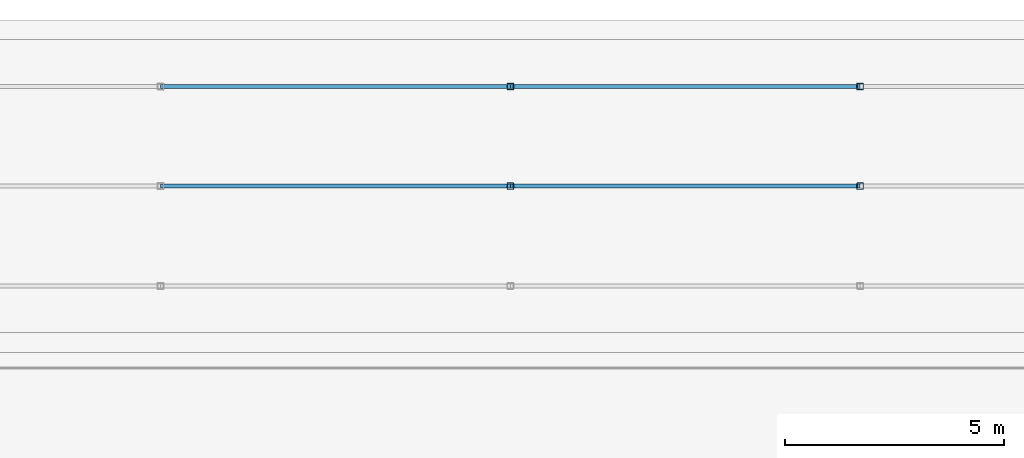
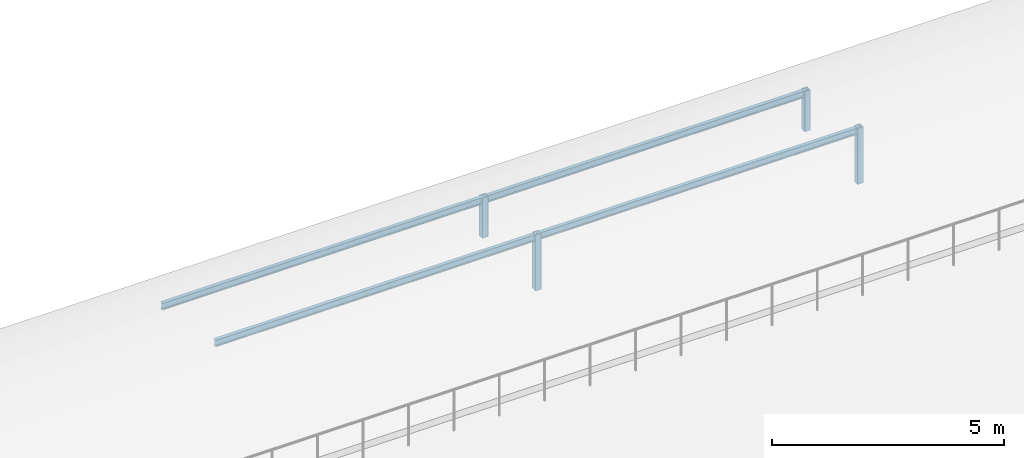
# One storey, part 22 of 46: 8 members.
"""IFC4 building model written with IfcOpenShell, lengths in metres."""

import ifcopenshell
import ifcopenshell.guid

model = None  # the IFC model being written
_history = None  # IfcOwnerHistory: only IFC2X3 demands one
_inside = {}  # id of a spatial element -> (the spatial element, [elements in it])
_under = {}  # id of a project, library or spatial element -> (it, [spatial elements below it])
_declared = {}  # id of a project -> (the project, [libraries it declares])
_typed = {}  # id of a type object -> (the type object, [elements of that type])
_made_of = {}  # id of a material, layer set ... -> (it, [elements and type objects made of it])


def new_model(schema):
    """Start an empty IFC model of exactly this schema.

    Asked for "IFC4X3", IfcOpenShell would pick the latest addendum, in which some entities
    have other attributes; the version numbers below select the first issue.
    IFC2X3 requires an IfcOwnerHistory on every rooted entity: one is made here for all.
    """
    global model, _history
    if schema == "IFC4X3":
        model = ifcopenshell.file(schema_version=(4, 3, 0, 0))
    else:
        model = ifcopenshell.file(schema=schema)
    _inside.clear()
    _under.clear()
    _declared.clear()
    _typed.clear()
    _made_of.clear()
    _history = None
    if model.schema == "IFC2X3":
        org = make("IfcOrganization", Name="unknown")
        user = make(
            "IfcPersonAndOrganization",
            ThePerson=make("IfcPerson", FamilyName="unknown"),
            TheOrganization=org,
        )
        app = make(
            "IfcApplication",
            ApplicationDeveloper=org,
            Version="unknown",
            ApplicationFullName="unknown",
            ApplicationIdentifier="unknown",
        )
        _history = make(
            "IfcOwnerHistory",
            OwningUser=user,
            OwningApplication=app,
            ChangeAction="ADDED",
            CreationDate=0,
        )
    return model


def make(cls, **values):
    """One entity of the class cls with the attributes given. An attribute that is None is left unset."""
    return model.create_entity(
        cls, **{name: value for name, value in values.items() if value is not None}
    )


def rooted(cls, **values):
    """An entity with a GlobalId (a new one), such as an element, a storey or a relation."""
    return make(cls, GlobalId=ifcopenshell.guid.new(), OwnerHistory=_history, **values)


def si_unit(unit_type, name, prefix=None):
    """IfcSIUnit, for example si_unit("LENGTHUNIT", "METRE", prefix="MILLI")."""
    return make("IfcSIUnit", UnitType=unit_type, Prefix=prefix, Name=name)


def assignment(units):
    """IfcUnitAssignment: the units of a project."""
    return None if units is None else make("IfcUnitAssignment", Units=units)


def point(xyz):
    """IfcCartesianPoint."""
    return None if xyz is None else make("IfcCartesianPoint", Coordinates=xyz)


def direction(xyz):
    """IfcDirection."""
    return None if xyz is None else make("IfcDirection", DirectionRatios=xyz)


def frame(location, z_axis=None, x_axis=None):
    """IfcAxis2Placement3D, a coordinate frame: its origin and axes. An axis left out is left unset."""
    return make(
        "IfcAxis2Placement3D",
        Location=point(location),
        Axis=direction(z_axis),
        RefDirection=direction(x_axis),
    )


def frame_2d(location, x_axis=None):
    """IfcAxis2Placement2D, a coordinate frame in the plane: its origin and x axis."""
    return make(
        "IfcAxis2Placement2D", Location=point(location), RefDirection=direction(x_axis)
    )


def origin():
    """The frame at (0, 0, 0) with its axes left unset."""
    return frame((0.0, 0.0, 0.0))


def origin_2d():
    """The frame at (0, 0) in the plane with its x axis left unset."""
    return frame_2d((0.0, 0.0))


def place(relative_to, where):
    """IfcLocalPlacement: puts the frame where relative to a parent placement (None: the world)."""
    return make(
        "IfcLocalPlacement", PlacementRelTo=relative_to, RelativePlacement=where
    )


def context(
    kind, dimensions, precision=None, world=None, true_north=None, identifier=None
):
    """IfcGeometricRepresentationContext, for example the 3D "Model" context."""
    return make(
        "IfcGeometricRepresentationContext",
        ContextIdentifier=identifier,
        ContextType=kind,
        CoordinateSpaceDimension=dimensions,
        Precision=precision,
        WorldCoordinateSystem=world,
        TrueNorth=true_north,
    )


def subcontext(parent, identifier, kind, view, scale=None):
    """IfcGeometricRepresentationSubContext, for example "Body" below "Model"."""
    return make(
        "IfcGeometricRepresentationSubContext",
        ContextIdentifier=identifier,
        ContextType=kind,
        ParentContext=parent,
        TargetScale=scale,
        TargetView=view,
    )


def project(units=None, contexts=None):
    """IfcProject with its units and contexts."""
    return rooted(
        "IfcProject",
        Name="project",
        RepresentationContexts=contexts,
        UnitsInContext=assignment(units),
    )


def spatial(cls, under=None, at=None, **own):
    """A site, building, storey or space (cls), placed at a placement, below another one or the project."""
    s = rooted(cls, ObjectPlacement=at, **own)
    if under is not None:
        _under.setdefault(under.id(), (under, []))[1].append(s)
    return s


def profile(cls, at=None, kind="AREA", **sizes):
    """A parametric profile (cls). Its sizes go by their IFC names, for example OverallWidth=200.0."""
    return make(cls, ProfileType=kind, Position=at, **sizes)


def hollow_rectangle(**sizes):
    """IfcRectangleHollowProfileDef."""
    return profile("IfcRectangleHollowProfileDef", **sizes)


def i_section(**sizes):
    """IfcIShapeProfileDef."""
    return profile("IfcIShapeProfileDef", **sizes)


def extrude(swept, where, along, depth):
    """IfcExtrudedAreaSolid: the profile swept, set in the frame where, extruded along a direction by depth."""
    return make(
        "IfcExtrudedAreaSolid",
        SweptArea=swept,
        Position=where,
        ExtrudedDirection=direction(along),
        Depth=depth,
    )


def shape(context_of_items, identifier, shape_type, items):
    """IfcShapeRepresentation: the items that make up one representation, for example the "Body"."""
    return make(
        "IfcShapeRepresentation",
        ContextOfItems=context_of_items,
        RepresentationIdentifier=identifier,
        RepresentationType=shape_type,
        Items=items,
    )


def material(Name=None, Category=None):
    """IfcMaterial."""
    return make("IfcMaterial", Name=Name, Category=Category)


def material_profile(
    of_material, cross_section, Name=None, Category=None, Priority=None
):
    """IfcMaterialProfile: a cross section and its material."""
    return make(
        "IfcMaterialProfile",
        Name=Name,
        Material=of_material,
        Profile=cross_section,
        Priority=Priority,
        Category=Category,
    )


def profile_set(profiles, Name=None, composite=None):
    """IfcMaterialProfileSet."""
    return make(
        "IfcMaterialProfileSet",
        Name=Name,
        MaterialProfiles=profiles,
        CompositeProfile=composite,
    )


def made_of(thing, what):
    """Note that an element or type object is made of a material, layer set ...; save() writes the relation."""
    if what is not None:
        _made_of.setdefault(what.id(), (what, []))[1].append(thing)
    return thing


def type_object(cls, material=None, **own):
    """A type object (cls), such as IfcWallType, which elements share."""
    return made_of(rooted(cls, **own), material)


def element(
    cls,
    number,
    at=None,
    inside=None,
    cuts=None,
    type_object=None,
    material=None,
    context=None,
    identifier="Body",
    shape_type=None,
    held_by="IfcProductDefinitionShape",
    body=None,
    shapes=None,
    **own,
):
    """One element of the class cls, such as IfcWall. Its Tag is "e" and its number.

    at: its placement. inside: the storey or other place that contains it. cuts: it is an
    opening in that element (IfcRelVoidsElement). A single representation is given by context,
    identifier, shape_type and body (its items); several are given by shapes. held_by: the class
    of the entity that holds the representations. save() writes the other relations.
    """
    e = rooted(cls, Tag="e%d" % number, ObjectPlacement=at, **own)
    if body is not None:
        shapes = [shape(context, identifier, shape_type, body)]
    if shapes is not None:
        e.Representation = make(held_by, Representations=shapes)
    if inside is not None:
        _inside.setdefault(inside.id(), (inside, []))[1].append(e)
    if cuts is not None:
        rooted(
            "IfcRelVoidsElement", RelatingBuildingElement=cuts, RelatedOpeningElement=e
        )
    if type_object is not None:
        _typed.setdefault(type_object.id(), (type_object, []))[1].append(e)
    return made_of(e, material)


def aggregate(whole, parts):
    """IfcRelAggregates: a whole, such as a stair, and the parts it consists of."""
    return rooted("IfcRelAggregates", RelatingObject=whole, RelatedObjects=parts)


def save(model, path):
    """Write the relations noted so far, then the file.

    IfcRelAggregates (storeys below a building ...), IfcRelContainedInSpatialStructure (elements
    in a storey), IfcRelDefinesByType, IfcRelAssociatesMaterial and IfcRelDeclares: one each for
    every whole, place, type object, material and project.
    """
    for whole, parts in _under.values():
        aggregate(whole, parts)
    for where, things in _inside.values():
        rooted(
            "IfcRelContainedInSpatialStructure",
            RelatedElements=things,
            RelatingStructure=where,
        )
    for kind, things in _typed.values():
        rooted("IfcRelDefinesByType", RelatedObjects=things, RelatingType=kind)
    for what, things in _made_of.values():
        rooted("IfcRelAssociatesMaterial", RelatedObjects=things, RelatingMaterial=what)
    for by, libraries in _declared.values():
        rooted("IfcRelDeclares", RelatingContext=by, RelatedDefinitions=libraries)
    model.write(path)


model = new_model("IFC4")

# Units and contexts
model_context = context("Model", 3, precision=1e-05, world=origin(), true_north=direction((0.0, 1.0)))
body_context = subcontext(model_context, "Body", "Model", "MODEL_VIEW")
ifc_project = project(units=[si_unit("LENGTHUNIT", "METRE"), si_unit("AREAUNIT", "SQUARE_METRE"), si_unit("VOLUMEUNIT", "CUBIC_METRE"), si_unit("PLANEANGLEUNIT", "RADIAN"), si_unit("MASSUNIT", "GRAM", prefix="KILO")], contexts=[model_context])

# Site, building, storey
site_placement = place(None, origin())
site = spatial("IfcSite", under=ifc_project, at=site_placement, CompositionType="ELEMENT")
building_placement = place(site_placement, origin())
building = spatial("IfcBuilding", under=site, at=building_placement, Name="Shalkamar Park Central Library", CompositionType="ELEMENT")
storey_placement = place(building_placement, frame((0.0, 0.0, 20.39990234375)))
storey = spatial("IfcBuildingStorey", under=building, at=storey_placement, Name="L05", CompositionType="ELEMENT", Elevation=20.39990234375)

# Members
ifc_material = material(Name="Steel S355", Category="steel")
ifc_material_profile_1 = material_profile(ifc_material, hollow_rectangle(XDim=0.14990234375, YDim=0.14990234375, WallThickness=0.008056640625, InnerFilletRadius=0.008056640625, OuterFilletRadius=0.011962890625, at=origin_2d()), Name="SHS 150x150x8")
ifc_profile_set_1 = profile_set([ifc_material_profile_1], Name="Steel S355")
member_type_1 = type_object("IfcMemberType", Name="Diagonal Brace SHS150", PredefinedType="BRACE", material=ifc_profile_set_1)
member_1_placement = place(storey_placement, frame((189.0, 312.199951171875, -0.35986328125), z_axis=(0.0, 0.0, 1.0), x_axis=(1.0, 0.0, 0.0)))
element("IfcMember", 1, at=member_1_placement, inside=storey, type_object=member_type_1, Name="Vault Arch Post BV-L04-NN-10.2", PredefinedType="BRACE", context=body_context, shape_type="SweptSolid", body=[
    extrude(hollow_rectangle(XDim=0.14990234375, YDim=0.14990234375, WallThickness=0.008056640625, InnerFilletRadius=0.008056640625, OuterFilletRadius=0.011962890625, at=origin_2d()), origin(), (0.0, 0.0, 1.0), 1.469970703125),
])
member_2_placement = place(storey_placement, frame((189.0, 314.47998046875, -0.35986328125), z_axis=(0.0, 0.0, 1.0), x_axis=(1.0, 0.0, 0.0)))
element("IfcMember", 2, at=member_2_placement, inside=storey, type_object=member_type_1, Name="Vault Arch Post BV-L04-NN-10.3", PredefinedType="BRACE", context=body_context, shape_type="SweptSolid", body=[
    extrude(hollow_rectangle(XDim=0.14990234375, YDim=0.14990234375, WallThickness=0.008056640625, InnerFilletRadius=0.008056640625, OuterFilletRadius=0.011962890625, at=origin_2d()), origin(), (0.0, 0.0, 1.0), 1.055908203125),
])
member_3_placement = place(storey_placement, frame((197.0, 312.199951171875, -0.35986328125), z_axis=(0.0, 0.0, 1.0), x_axis=(1.0, 0.0, 0.0)))
element("IfcMember", 3, at=member_3_placement, inside=storey, type_object=member_type_1, Name="Vault Arch Post BV-L04-NN-11.2", PredefinedType="BRACE", context=body_context, shape_type="SweptSolid", body=[
    extrude(hollow_rectangle(XDim=0.14990234375, YDim=0.14990234375, WallThickness=0.008056640625, InnerFilletRadius=0.008056640625, OuterFilletRadius=0.011962890625, at=origin_2d()), origin(), (0.0, 0.0, 1.0), 1.469970703125),
])
member_4_placement = place(storey_placement, frame((197.0, 314.47998046875, -0.35986328125), z_axis=(0.0, 0.0, 1.0), x_axis=(1.0, 0.0, 0.0)))
element("IfcMember", 4, at=member_4_placement, inside=storey, type_object=member_type_1, Name="Vault Arch Post BV-L04-NN-11.3", PredefinedType="BRACE", context=body_context, shape_type="SweptSolid", body=[
    extrude(hollow_rectangle(XDim=0.14990234375, YDim=0.14990234375, WallThickness=0.008056640625, InnerFilletRadius=0.008056640625, OuterFilletRadius=0.011962890625, at=origin_2d()), origin(), (0.0, 0.0, 1.0), 1.055908203125),
])
ifc_material_profile_2 = material_profile(ifc_material, i_section(OverallWidth=0.091064453125, OverallDepth=0.179931640625, WebThickness=0.00537109375, FlangeThickness=0.008056640625, FilletRadius=0.009033203125, at=origin_2d()), Name="IPE 180")
ifc_profile_set_2 = profile_set([ifc_material_profile_2], Name="Steel S355")
member_type_2 = type_object("IfcMemberType", Name="Roof Purlin IPE180", PredefinedType="PURLIN", material=ifc_profile_set_2)
for number, where, z_axis, x_axis, name in (
    (5, (181.0, 312.199951171875, 1.02001953125), (1.0, 0.0, 0.0), (0.0, 1.0, 0.0), "Barrel Roof Purlin BV-L04-NN-2.09"),
    (6, (189.0, 312.199951171875, 1.02001953125), (1.0, 0.0, 0.0), (0.0, 1.0, 0.0), "Barrel Roof Purlin BV-L04-NN-2.10"),
    (7, (181.0, 314.47998046875, 0.606201171875), (1.0, 0.0, 0.0), (0.0, 1.0, 0.0), "Barrel Roof Purlin BV-L04-NN-3.09"),
    (8, (189.0, 314.47998046875, 0.606201171875), (1.0, 0.0, 0.0), (0.0, 1.0, 0.0), "Barrel Roof Purlin BV-L04-NN-3.10"),
):
    element("IfcMember", number, at=place(storey_placement, frame(where, z_axis=z_axis, x_axis=x_axis)), inside=storey, type_object=member_type_2, Name=name, PredefinedType="PURLIN", context=body_context, shape_type="SweptSolid", body=[
        extrude(i_section(OverallWidth=0.091064453125, OverallDepth=0.179931640625, WebThickness=0.00537109375, FlangeThickness=0.008056640625, FilletRadius=0.009033203125, at=origin_2d()), origin(), (0.0, 0.0, 1.0), 8.0),
    ])

save(model, "model.ifc")
